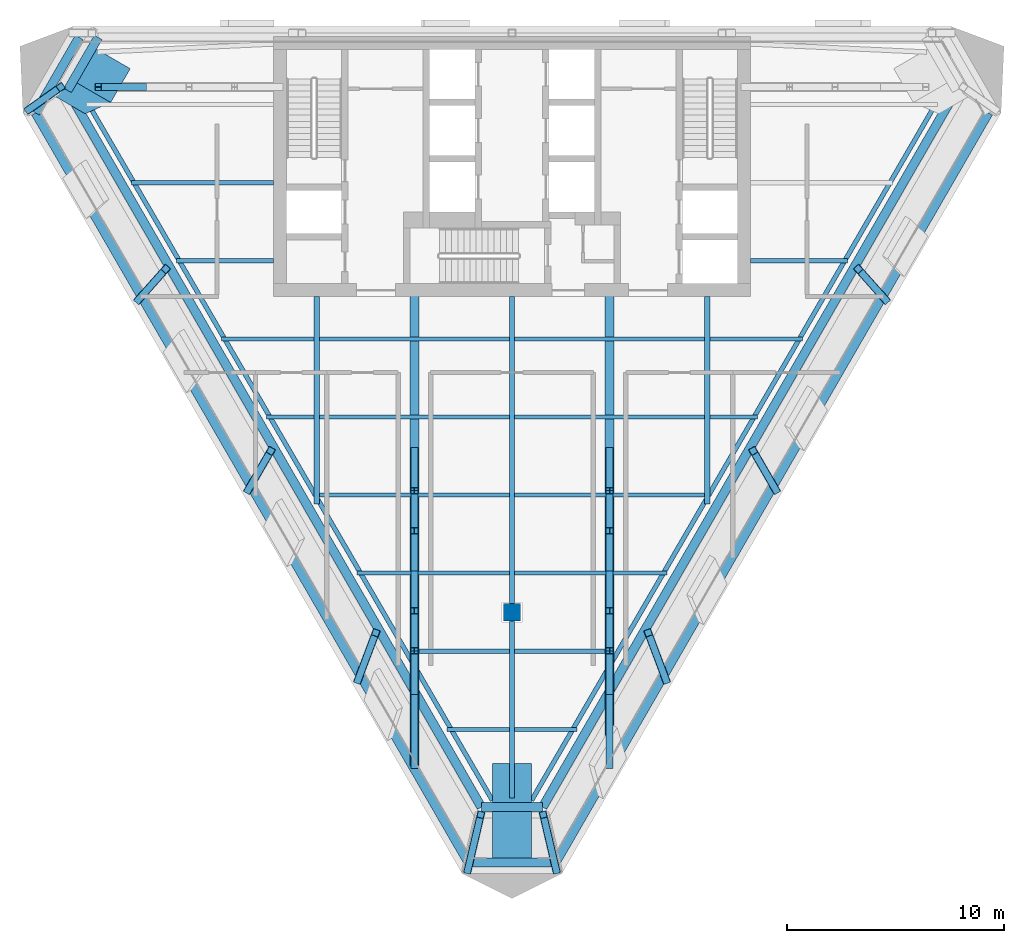
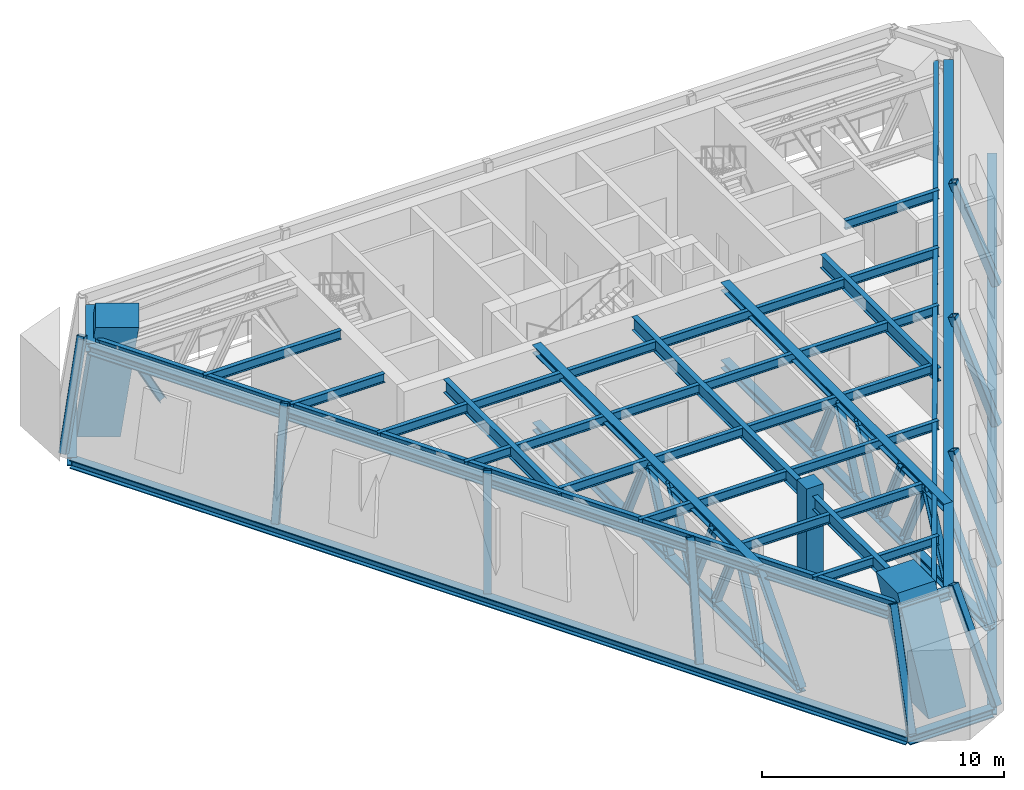
# One storey, part 1 of 11: 37 beams, 26 members, 1 column.
"""IFC4 building model written with IfcOpenShell, lengths in metres."""

from ifc_helpers import new_model, si_unit, direction, frame, origin, origin_2d, place, context, subcontext, project, spatial, rectangle, hollow_rectangle, i_section, extrude, material, material_profile, profile_set, type_object, element, save


model = new_model("IFC4")

# Units and contexts
model_context = context("Model", 3, precision=1e-05, world=origin(), true_north=direction((0.0, 1.0)))
body_context = subcontext(model_context, "Body", "Model", "MODEL_VIEW")
ifc_project = project(units=[si_unit("LENGTHUNIT", "METRE"), si_unit("AREAUNIT", "SQUARE_METRE"), si_unit("VOLUMEUNIT", "CUBIC_METRE"), si_unit("PLANEANGLEUNIT", "RADIAN"), si_unit("MASSUNIT", "GRAM", prefix="KILO")], contexts=[model_context])

# Site, building, storey
site_placement = place(None, origin())
site = spatial("IfcSite", under=ifc_project, at=site_placement, CompositionType="ELEMENT")
building_placement = place(site_placement, origin())
building = spatial("IfcBuilding", under=site, at=building_placement, Name="Aloe Facet Convention Tower", CompositionType="ELEMENT")
storey_placement = place(building_placement, frame((0.0, 0.0, 175.39990234375)))
storey = spatial("IfcBuildingStorey", under=building, at=storey_placement, Name="L44", CompositionType="ELEMENT", Elevation=175.39990234375)

# Column
ifc_material_1 = material(Name="Concrete C70/85", Category="concrete")
ifc_material_profile_1 = material_profile(ifc_material_1, rectangle(XDim=0.800048828125, YDim=0.800048828125, at=origin_2d()), Name="SF-GC-Z4")
ifc_profile_set_1 = profile_set([ifc_material_profile_1], Name="Concrete C70/85")
column_type = type_object("IfcColumnType", Name="SF-GC-Z4", PredefinedType="COLUMN", material=ifc_profile_set_1)
column_placement = place(storey_placement, frame((80.0, 108.0, 0.0), z_axis=(0.0, 0.0, 1.0), x_axis=(1.0, 0.0, 0.0)))
element("IfcColumn", 1, at=column_placement, inside=storey, type_object=column_type, Name="Gravity column GC-Z4-9D", PredefinedType="COLUMN", context=body_context, shape_type="SweptSolid", body=[
    extrude(rectangle(XDim=0.800048828125, YDim=0.800048828125, at=origin_2d()), origin(), (0.0, 0.0, 1.0), 4.800048828125),
])

# Beams
ifc_material_2 = material(Name="Steel S355", Category="steel")
ifc_material_profile_2 = material_profile(ifc_material_2, i_section(OverallWidth=0.19140625, OverallDepth=0.4599609375, WebThickness=0.010009765625, FlangeThickness=0.01611328125, FilletRadius=0.01025390625, at=origin_2d()), Name="UB 457x191x82")
ifc_profile_set_2 = profile_set([ifc_material_profile_2], Name="Steel S355")
beam_type_1 = type_object("IfcBeamType", Name="SF-B-UB457x191x82", PredefinedType="BEAM", material=ifc_profile_set_2)
beam_1_placement = place(storey_placement, frame((62.452392578125, 127.800048828125, 4.1201171875), z_axis=(1.0, 0.0, 0.0), x_axis=(0.0, 1.0, 0.0)))
element("IfcBeam", 2, at=beam_1_placement, inside=storey, type_object=beam_type_1, Name="Floor beam FB-Z4A-010", PredefinedType="BEAM", context=body_context, shape_type="SweptSolid", body=[
    extrude(i_section(OverallWidth=0.19140625, OverallDepth=0.4599609375, WebThickness=0.010009765625, FlangeThickness=0.01611328125, FilletRadius=0.01025390625, at=origin_2d()), origin(), (0.0, 0.0, 1.0), 6.547607421875),
])
beam_2_placement = place(storey_placement, frame((64.53076171875, 124.199951171875, 4.1201171875), z_axis=(1.0, 0.0, 0.0), x_axis=(0.0, 1.0, 0.0)))
element("IfcBeam", 3, at=beam_2_placement, inside=storey, type_object=beam_type_1, Name="Floor beam FB-Z4A-011", PredefinedType="BEAM", context=body_context, shape_type="SweptSolid", body=[
    extrude(i_section(OverallWidth=0.19140625, OverallDepth=0.4599609375, WebThickness=0.010009765625, FlangeThickness=0.01611328125, FilletRadius=0.01025390625, at=origin_2d()), origin(), (0.0, 0.0, 1.0), 4.46923828125),
])
beam_3_placement = place(storey_placement, frame((66.609130859375, 120.60009765625, 4.1201171875), z_axis=(1.0, 0.0, 0.0), x_axis=(0.0, 1.0, 0.0)))
element("IfcBeam", 4, at=beam_3_placement, inside=storey, type_object=beam_type_1, Name="Floor beam FB-Z4A-012", PredefinedType="BEAM", context=body_context, shape_type="SweptSolid", body=[
    extrude(i_section(OverallWidth=0.19140625, OverallDepth=0.4599609375, WebThickness=0.010009765625, FlangeThickness=0.01611328125, FilletRadius=0.01025390625, at=origin_2d()), origin(), (0.0, 0.0, 1.0), 4.264404296875),
])
beam_4_placement = place(storey_placement, frame((68.687744140625, 117.0, 4.1201171875), z_axis=(1.0, 0.0, 0.0), x_axis=(0.0, 1.0, 0.0)))
element("IfcBeam", 5, at=beam_4_placement, inside=storey, type_object=beam_type_1, Name="Floor beam FB-Z4A-013", PredefinedType="BEAM", context=body_context, shape_type="SweptSolid", body=[
    extrude(i_section(OverallWidth=0.19140625, OverallDepth=0.4599609375, WebThickness=0.010009765625, FlangeThickness=0.01611328125, FilletRadius=0.01025390625, at=origin_2d()), origin(), (0.0, 0.0, 1.0), 2.185791015625),
])
for number, where, z_axis, x_axis, name in (
    (6, (71.12646484375, 113.39990234375, 4.1201171875), (1.0, 0.0, 0.0), (0.0, 1.0, 0.0), "Floor beam FB-Z4A-014"),
    (7, (71.12646484375, 117.0, 4.1201171875), (1.0, 0.0, 0.0), (0.0, 1.0, 0.0), "Floor beam FB-Z4A-015"),
    (8, (71.12646484375, 120.60009765625, 4.1201171875), (1.0, 0.0, 0.0), (0.0, 1.0, 0.0), "Floor beam FB-Z4A-016"),
):
    element("IfcBeam", number, at=place(storey_placement, frame(where, z_axis=z_axis, x_axis=x_axis)), inside=storey, type_object=beam_type_1, Name=name, PredefinedType="BEAM", context=body_context, shape_type="SweptSolid", body=[
        extrude(i_section(OverallWidth=0.19140625, OverallDepth=0.4599609375, WebThickness=0.010009765625, FlangeThickness=0.01611328125, FilletRadius=0.01025390625, at=origin_2d()), origin(), (0.0, 0.0, 1.0), 8.7470703125),
    ])
beam_5_placement = place(storey_placement, frame((72.844482421875, 109.800048828125, 4.1201171875), z_axis=(1.0, 0.0, 0.0), x_axis=(0.0, 1.0, 0.0)))
element("IfcBeam", 9, at=beam_5_placement, inside=storey, type_object=beam_type_1, Name="Floor beam FB-Z4A-017", PredefinedType="BEAM", context=body_context, shape_type="SweptSolid", body=[
    extrude(i_section(OverallWidth=0.19140625, OverallDepth=0.4599609375, WebThickness=0.010009765625, FlangeThickness=0.01611328125, FilletRadius=0.01025390625, at=origin_2d()), origin(), (0.0, 0.0, 1.0), 7.029052734375),
])
beam_6_placement = place(storey_placement, frame((75.7099609375, 106.199951171875, 4.1201171875), z_axis=(1.0, 0.0, 0.0), x_axis=(0.0, 1.0, 0.0)))
element("IfcBeam", 10, at=beam_6_placement, inside=storey, type_object=beam_type_1, Name="Floor beam FB-Z4A-018", PredefinedType="BEAM", context=body_context, shape_type="SweptSolid", body=[
    extrude(i_section(OverallWidth=0.19140625, OverallDepth=0.4599609375, WebThickness=0.010009765625, FlangeThickness=0.01611328125, FilletRadius=0.01025390625, at=origin_2d()), origin(), (0.0, 0.0, 1.0), 4.16357421875),
])
for number, where, z_axis, x_axis, name in (
    (11, (77.00146484375, 102.60009765625, 4.1201171875), (1.0, 0.0, 0.0), (0.0, 1.0, 0.0), "Floor beam FB-Z4A-019"),
    (12, (80.12646484375, 102.60009765625, 4.1201171875), (1.0, 0.0, 0.0), (0.0, 1.0, 0.0), "Floor beam FB-Z4A-020"),
):
    element("IfcBeam", number, at=place(storey_placement, frame(where, z_axis=z_axis, x_axis=x_axis)), inside=storey, type_object=beam_type_1, Name=name, PredefinedType="BEAM", context=body_context, shape_type="SweptSolid", body=[
        extrude(i_section(OverallWidth=0.19140625, OverallDepth=0.4599609375, WebThickness=0.010009765625, FlangeThickness=0.01611328125, FilletRadius=0.01025390625, at=origin_2d()), origin(), (0.0, 0.0, 1.0), 2.8720703125),
    ])
beam_7_placement = place(storey_placement, frame((80.12646484375, 106.199951171875, 4.1201171875), z_axis=(1.0, 0.0, 0.0), x_axis=(0.0, 1.0, 0.0)))
element("IfcBeam", 13, at=beam_7_placement, inside=storey, type_object=beam_type_1, Name="Floor beam FB-Z4A-021", PredefinedType="BEAM", context=body_context, shape_type="SweptSolid", body=[
    extrude(i_section(OverallWidth=0.19140625, OverallDepth=0.4599609375, WebThickness=0.010009765625, FlangeThickness=0.01611328125, FilletRadius=0.01025390625, at=origin_2d()), origin(), (0.0, 0.0, 1.0), 4.16357421875),
])
beam_8_placement = place(storey_placement, frame((80.12646484375, 109.800048828125, 4.1201171875), z_axis=(1.0, 0.0, 0.0), x_axis=(0.0, 1.0, 0.0)))
element("IfcBeam", 14, at=beam_8_placement, inside=storey, type_object=beam_type_1, Name="Floor beam FB-Z4A-022", PredefinedType="BEAM", context=body_context, shape_type="SweptSolid", body=[
    extrude(i_section(OverallWidth=0.19140625, OverallDepth=0.4599609375, WebThickness=0.010009765625, FlangeThickness=0.01611328125, FilletRadius=0.01025390625, at=origin_2d()), origin(), (0.0, 0.0, 1.0), 7.029052734375),
])
for number, where, z_axis, x_axis, name in (
    (15, (80.12646484375, 113.39990234375, 4.1201171875), (1.0, 0.0, 0.0), (0.0, 1.0, 0.0), "Floor beam FB-Z4A-023"),
    (16, (80.12646484375, 117.0, 4.1201171875), (1.0, 0.0, 0.0), (0.0, 1.0, 0.0), "Floor beam FB-Z4A-024"),
    (17, (80.12646484375, 120.60009765625, 4.1201171875), (1.0, 0.0, 0.0), (0.0, 1.0, 0.0), "Floor beam FB-Z4A-025"),
):
    element("IfcBeam", number, at=place(storey_placement, frame(where, z_axis=z_axis, x_axis=x_axis)), inside=storey, type_object=beam_type_1, Name=name, PredefinedType="BEAM", context=body_context, shape_type="SweptSolid", body=[
        extrude(i_section(OverallWidth=0.19140625, OverallDepth=0.4599609375, WebThickness=0.010009765625, FlangeThickness=0.01611328125, FilletRadius=0.01025390625, at=origin_2d()), origin(), (0.0, 0.0, 1.0), 8.7470703125),
    ])
beam_9_placement = place(storey_placement, frame((89.12646484375, 117.0, 4.1201171875), z_axis=(1.0, 0.0, 0.0), x_axis=(0.0, 1.0, 0.0)))
element("IfcBeam", 18, at=beam_9_placement, inside=storey, type_object=beam_type_1, Name="Floor beam FB-Z4A-026", PredefinedType="BEAM", context=body_context, shape_type="SweptSolid", body=[
    extrude(i_section(OverallWidth=0.19140625, OverallDepth=0.4599609375, WebThickness=0.010009765625, FlangeThickness=0.01611328125, FilletRadius=0.01025390625, at=origin_2d()), origin(), (0.0, 0.0, 1.0), 2.185791015625),
])
beam_10_placement = place(storey_placement, frame((89.12646484375, 120.60009765625, 4.1201171875), z_axis=(1.0, 0.0, 0.0), x_axis=(0.0, 1.0, 0.0)))
element("IfcBeam", 19, at=beam_10_placement, inside=storey, type_object=beam_type_1, Name="Floor beam FB-Z4A-027", PredefinedType="BEAM", context=body_context, shape_type="SweptSolid", body=[
    extrude(i_section(OverallWidth=0.19140625, OverallDepth=0.4599609375, WebThickness=0.010009765625, FlangeThickness=0.01611328125, FilletRadius=0.01025390625, at=origin_2d()), origin(), (0.0, 0.0, 1.0), 4.264404296875),
])
beam_11_placement = place(storey_placement, frame((91.0, 124.199951171875, 4.1201171875), z_axis=(1.0, 0.0, 0.0), x_axis=(0.0, 1.0, 0.0)))
element("IfcBeam", 20, at=beam_11_placement, inside=storey, type_object=beam_type_1, Name="Floor beam FB-Z4A-028", PredefinedType="BEAM", context=body_context, shape_type="SweptSolid", body=[
    extrude(i_section(OverallWidth=0.19140625, OverallDepth=0.4599609375, WebThickness=0.010009765625, FlangeThickness=0.01611328125, FilletRadius=0.01025390625, at=origin_2d()), origin(), (0.0, 0.0, 1.0), 4.46923828125),
])
ifc_material_3 = material(Name="Steel S355", Category="steel")
ifc_material_profile_3 = material_profile(ifc_material_3, i_section(OverallWidth=0.209228515625, OverallDepth=0.533203125, WebThickness=0.010009765625, FlangeThickness=0.015625, FilletRadius=0.0126953125, at=origin_2d()), Name="UB 533x210x92")
ifc_profile_set_3 = profile_set([ifc_material_profile_3], Name="Steel S355")
beam_type_2 = type_object("IfcBeamType", Name="SF-B-UB533x210x92", PredefinedType="BEAM", material=ifc_profile_set_3)
for number, where, z_axis, x_axis, name in (
    (21, (79.10009765625, 99.319580078125, 4.08349609375), (-0.501919625272, 0.864914267293, 0.0), (-0.864914267293, -0.501919625272, 0.0), "Floor beam FB-Z4A-002"),
    (22, (100.0166015625, 132.26171875, 4.08349609375), (-0.501919625272, -0.864914267293, 0.0), (0.864914267293, -0.501919625272, 0.0), "Floor beam FB-Z4A-004"),
):
    element("IfcBeam", number, at=place(storey_placement, frame(where, z_axis=z_axis, x_axis=x_axis)), inside=storey, type_object=beam_type_2, Name=name, PredefinedType="BEAM", context=body_context, shape_type="SweptSolid", body=[
        extrude(i_section(OverallWidth=0.209228515625, OverallDepth=0.533203125, WebThickness=0.010009765625, FlangeThickness=0.015625, FilletRadius=0.0126953125, at=origin_2d()), origin(), (0.0, 0.0, 1.0), 38.087158203125),
    ])
ifc_material_4 = material(Name="Steel S355", Category="steel")
ifc_material_profile_4 = material_profile(ifc_material_4, i_section(OverallWidth=0.2529296875, OverallDepth=0.677978515625, WebThickness=0.01171875, FlangeThickness=0.01611328125, FilletRadius=0.01513671875, at=origin_2d()), Name="UB 686x254x125")
ifc_profile_set_4 = profile_set([ifc_material_profile_4], Name="Steel S355")
beam_type_3 = type_object("IfcBeamType", Name="SF-B-UB686x254x125", PredefinedType="BEAM", material=ifc_profile_set_4)
beam_12_placement = place(storey_placement, frame((71.0, 122.550048828125, 4.010986328125), z_axis=(0.0, -1.0, 0.0), x_axis=(1.0, 0.0, 0.0)))
element("IfcBeam", 23, at=beam_12_placement, inside=storey, type_object=beam_type_3, Name="Floor beam FB-Z4A-005", PredefinedType="BEAM", context=body_context, shape_type="SweptSolid", body=[
    extrude(i_section(OverallWidth=0.2529296875, OverallDepth=0.677978515625, WebThickness=0.01171875, FlangeThickness=0.01611328125, FilletRadius=0.01513671875, at=origin_2d()), origin(), (0.0, 0.0, 1.0), 9.5625),
])
beam_13_placement = place(storey_placement, frame((80.0, 107.60009765625, 4.010986328125), z_axis=(0.0, -1.0, 0.0), x_axis=(1.0, 0.0, 0.0)))
element("IfcBeam", 24, at=beam_13_placement, inside=storey, type_object=beam_type_3, Name="Floor beam FB-Z4A-006", PredefinedType="BEAM", context=body_context, shape_type="SweptSolid", body=[
    extrude(i_section(OverallWidth=0.2529296875, OverallDepth=0.677978515625, WebThickness=0.01171875, FlangeThickness=0.01611328125, FilletRadius=0.01513671875, at=origin_2d()), origin(), (0.0, 0.0, 1.0), 8.165771484375),
])
beam_14_placement = place(storey_placement, frame((80.0, 122.550048828125, 4.010986328125), z_axis=(0.0, -1.0, 0.0), x_axis=(1.0, 0.0, 0.0)))
element("IfcBeam", 25, at=beam_14_placement, inside=storey, type_object=beam_type_3, Name="Floor beam FB-Z4A-007", PredefinedType="BEAM", context=body_context, shape_type="SweptSolid", body=[
    extrude(i_section(OverallWidth=0.2529296875, OverallDepth=0.677978515625, WebThickness=0.01171875, FlangeThickness=0.01611328125, FilletRadius=0.01513671875, at=origin_2d()), origin(), (0.0, 0.0, 1.0), 14.150146484375),
])
beam_15_placement = place(storey_placement, frame((89.0, 122.550048828125, 4.010986328125), z_axis=(0.0, -1.0, 0.0), x_axis=(1.0, 0.0, 0.0)))
element("IfcBeam", 26, at=beam_15_placement, inside=storey, type_object=beam_type_3, Name="Floor beam FB-Z4A-008", PredefinedType="BEAM", context=body_context, shape_type="SweptSolid", body=[
    extrude(i_section(OverallWidth=0.2529296875, OverallDepth=0.677978515625, WebThickness=0.01171875, FlangeThickness=0.01611328125, FilletRadius=0.01513671875, at=origin_2d()), origin(), (0.0, 0.0, 1.0), 9.5625),
])
ifc_material_5 = material(Name="Steel S355", Category="steel")
ifc_material_profile_5 = material_profile(ifc_material_5, i_section(OverallWidth=0.412109375, OverallDepth=0.4365234375, WebThickness=0.035888671875, FlangeThickness=0.048095703125, FilletRadius=0.01513671875, at=origin_2d()), Name="UC 356x406x467")
ifc_profile_set_5 = profile_set([ifc_material_profile_5], Name="Steel S355")
beam_type_4 = type_object("IfcBeamType", Name="STW-BC-L44", PredefinedType="BEAM", material=ifc_profile_set_5)
beam_16_placement = place(storey_placement, frame((101.9658203125, 131.016357421875, -0.46826171875), z_axis=(-0.50000381633, -0.866023200414, 0.0), x_axis=(0.866023200414, -0.50000381633, 0.0)))
element("IfcBeam", 27, at=beam_16_placement, inside=storey, type_object=beam_type_4, Name="Belt chord BC-L44-L-02", PredefinedType="BEAM", context=body_context, shape_type="SweptSolid", body=[
    extrude(i_section(OverallWidth=0.412109375, OverallDepth=0.4365234375, WebThickness=0.035888671875, FlangeThickness=0.048095703125, FilletRadius=0.01513671875, at=origin_2d()), origin(), (0.0, 0.0, 1.0), 39.908935546875),
])
beam_17_placement = place(storey_placement, frame((82.01123046875, 96.454345703125, -0.46826171875), z_axis=(-1.0, 0.0, 0.0), x_axis=(0.0, -1.0, 0.0)))
element("IfcBeam", 28, at=beam_17_placement, inside=storey, type_object=beam_type_4, Name="Belt chord BC-L44-L-03", PredefinedType="BEAM", context=body_context, shape_type="SweptSolid", body=[
    extrude(i_section(OverallWidth=0.412109375, OverallDepth=0.4365234375, WebThickness=0.035888671875, FlangeThickness=0.048095703125, FilletRadius=0.01513671875, at=origin_2d()), origin(), (0.0, 0.0, 1.0), 4.0224609375),
])
beam_18_placement = place(storey_placement, frame((77.98876953125, 96.454345703125, -0.46826171875), z_axis=(-0.50000381633, 0.866023200414, 0.0), x_axis=(-0.866023200414, -0.50000381633, 0.0)))
element("IfcBeam", 29, at=beam_18_placement, inside=storey, type_object=beam_type_4, Name="Belt chord BC-L44-L-04", PredefinedType="BEAM", context=body_context, shape_type="SweptSolid", body=[
    extrude(i_section(OverallWidth=0.412109375, OverallDepth=0.4365234375, WebThickness=0.035888671875, FlangeThickness=0.048095703125, FilletRadius=0.01513671875, at=origin_2d()), origin(), (0.0, 0.0, 1.0), 39.908935546875),
])
beam_19_placement = place(storey_placement, frame((58.0341796875, 131.016357421875, -0.46826171875), z_axis=(0.500035914075, 0.866004667791, 0.0), x_axis=(-0.866004667791, 0.500035914075, 0.0)))
element("IfcBeam", 30, at=beam_19_placement, inside=storey, type_object=beam_type_4, Name="Belt chord BC-L44-L-05", PredefinedType="BEAM", context=body_context, shape_type="SweptSolid", body=[
    extrude(i_section(OverallWidth=0.412109375, OverallDepth=0.4365234375, WebThickness=0.035888671875, FlangeThickness=0.048095703125, FilletRadius=0.01513671875, at=origin_2d()), origin(), (0.0, 0.0, 1.0), 4.022705078125),
])
beam_20_placement = place(storey_placement, frame((100.4873046875, 132.055419921875, 4.1318359375), z_axis=(-0.499999417689, -0.866025739982, 0.0), x_axis=(0.866025739982, -0.499999417689, 0.0)))
element("IfcBeam", 31, at=beam_20_placement, inside=storey, type_object=beam_type_4, Name="Belt chord BC-L44-U-02", PredefinedType="BEAM", context=body_context, shape_type="SweptSolid", body=[
    extrude(i_section(OverallWidth=0.412109375, OverallDepth=0.4365234375, WebThickness=0.035888671875, FlangeThickness=0.048095703125, FilletRadius=0.01513671875, at=origin_2d()), origin(), (0.0, 0.0, 1.0), 38.15185546875),
])
beam_21_placement = place(storey_placement, frame((81.411376953125, 99.014892578125, 4.1318359375), z_axis=(-1.0, 0.0, 0.0), x_axis=(0.0, -1.0, 0.0)))
element("IfcBeam", 32, at=beam_21_placement, inside=storey, type_object=beam_type_4, Name="Belt chord BC-L44-U-03", PredefinedType="BEAM", context=body_context, shape_type="SweptSolid", body=[
    extrude(i_section(OverallWidth=0.412109375, OverallDepth=0.4365234375, WebThickness=0.035888671875, FlangeThickness=0.048095703125, FilletRadius=0.01513671875, at=origin_2d()), origin(), (0.0, 0.0, 1.0), 2.82275390625),
])
beam_22_placement = place(storey_placement, frame((78.588623046875, 99.014892578125, 4.1318359375), z_axis=(-0.499999417689, 0.866025739982, 0.0), x_axis=(-0.866025739982, -0.499999417689, 0.0)))
element("IfcBeam", 33, at=beam_22_placement, inside=storey, type_object=beam_type_4, Name="Belt chord BC-L44-U-04", PredefinedType="BEAM", context=body_context, shape_type="SweptSolid", body=[
    extrude(i_section(OverallWidth=0.412109375, OverallDepth=0.4365234375, WebThickness=0.035888671875, FlangeThickness=0.048095703125, FilletRadius=0.01513671875, at=origin_2d()), origin(), (0.0, 0.0, 1.0), 38.15185546875),
])
beam_23_placement = place(storey_placement, frame((59.5126953125, 132.055419921875, 4.1318359375), z_axis=(0.499999465141, 0.866025712585, 0.0), x_axis=(-0.866025712585, 0.499999465141, 0.0)))
element("IfcBeam", 34, at=beam_23_placement, inside=storey, type_object=beam_type_4, Name="Belt chord BC-L44-U-05", PredefinedType="BEAM", context=body_context, shape_type="SweptSolid", body=[
    extrude(i_section(OverallWidth=0.412109375, OverallDepth=0.4365234375, WebThickness=0.035888671875, FlangeThickness=0.048095703125, FilletRadius=0.01513671875, at=origin_2d()), origin(), (0.0, 0.0, 1.0), 2.82275390625),
])

# Members
ifc_material_6 = material(Name="Steel S355", Category="steel")
ifc_material_profile_6 = material_profile(ifc_material_6, hollow_rectangle(XDim=0.35009765625, YDim=0.35009765625, WallThickness=0.01611328125, InnerFilletRadius=0.01611328125, OuterFilletRadius=0.031982421875, at=origin_2d()), Name="SHS 350x350x16")
ifc_profile_set_6 = profile_set([ifc_material_profile_6], Name="Steel S355")
member_type_1 = type_object("IfcMemberType", Name="STW-BW-L44", PredefinedType="BRACE", material=ifc_profile_set_6)
member_1_placement = place(storey_placement, frame((57.716796875, 131.166259765625, 0.0), z_axis=(0.288265895806, 0.202633407933, 0.935864560342), x_axis=(-0.575075049884, 0.818100658233, 0.0)))
element("IfcMember", 35, at=member_1_placement, inside=storey, type_object=member_type_1, Name="Belt web BW-L44-F2-01", PredefinedType="BRACE", context=body_context, shape_type="SweptSolid", body=[
    extrude(hollow_rectangle(XDim=0.35009765625, YDim=0.35009765625, WallThickness=0.01611328125, InnerFilletRadius=0.01611328125, OuterFilletRadius=0.031982421875, at=origin_2d()), origin(), (0.0, 0.0, 1.0), 5.12890625),
])
member_2_placement = place(storey_placement, frame((62.777587890625, 122.40087890625, 0.0), z_axis=(0.243886294949, 0.275010651441, 0.929993879942), x_axis=(-0.748175607018, 0.663500761917, 0.0)))
element("IfcMember", 36, at=member_2_placement, inside=storey, type_object=member_type_1, Name="Belt web BW-L44-F2-02", PredefinedType="BRACE", context=body_context, shape_type="SweptSolid", body=[
    extrude(hollow_rectangle(XDim=0.35009765625, YDim=0.35009765625, WallThickness=0.01611328125, InnerFilletRadius=0.01611328125, OuterFilletRadius=0.031982421875, at=origin_2d()), origin(), (0.0, 0.0, 1.0), 5.161376953125),
])
member_3_placement = place(storey_placement, frame((67.83837890625, 113.63525390625, 0.0), z_axis=(0.198646665889, 0.344131077913, 0.917667316268), x_axis=(-0.866066271601, 0.499929208183, 0.0)))
element("IfcMember", 37, at=member_3_placement, inside=storey, type_object=member_type_1, Name="Belt web BW-L44-F2-03", PredefinedType="BRACE", context=body_context, shape_type="SweptSolid", body=[
    extrude(hollow_rectangle(XDim=0.35009765625, YDim=0.35009765625, WallThickness=0.01611328125, InnerFilletRadius=0.01611328125, OuterFilletRadius=0.031982421875, at=origin_2d()), origin(), (0.0, 0.0, 1.0), 5.230712890625),
])
member_4_placement = place(storey_placement, frame((72.89892578125, 104.869873046875, 0.0), z_axis=(0.153659512764, 0.408629972895, 0.899672328901), x_axis=(-0.936010035157, 0.351973314452, 0.0)))
element("IfcMember", 38, at=member_4_placement, inside=storey, type_object=member_type_1, Name="Belt web BW-L44-F2-04", PredefinedType="BRACE", context=body_context, shape_type="SweptSolid", body=[
    extrude(hollow_rectangle(XDim=0.35009765625, YDim=0.35009765625, WallThickness=0.01611328125, InnerFilletRadius=0.01611328125, OuterFilletRadius=0.031982421875, at=origin_2d()), origin(), (0.0, 0.0, 1.0), 5.33544921875),
])
for number, where, z_axis, x_axis, name in (
    (39, (77.959716796875, 96.104248046875, 0.0), (0.109638682371, 0.467860105528, 0.876975644464), (-0.973623721312, 0.228159701305, 0.0), "Belt web BW-L44-F2-05"),
    (40, (82.040283203125, 96.104248046875, 0.0), (-0.109638682371, 0.467860105528, 0.876975644464), (-0.973623721312, -0.228159701305, 0.0), "Belt web BW-L44-F3-01"),
):
    element("IfcMember", number, at=place(storey_placement, frame(where, z_axis=z_axis, x_axis=x_axis)), inside=storey, type_object=member_type_1, Name=name, PredefinedType="BRACE", context=body_context, shape_type="SweptSolid", body=[
        extrude(hollow_rectangle(XDim=0.35009765625, YDim=0.35009765625, WallThickness=0.01611328125, InnerFilletRadius=0.01611328125, OuterFilletRadius=0.031982421875, at=origin_2d()), origin(), (0.0, 0.0, 1.0), 5.473388671875),
    ])
member_5_placement = place(storey_placement, frame((87.10107421875, 104.869873046875, 0.0), z_axis=(-0.153659512764, 0.408629972895, 0.899672328901), x_axis=(-0.936010035157, -0.351973314452, 0.0)))
element("IfcMember", 41, at=member_5_placement, inside=storey, type_object=member_type_1, Name="Belt web BW-L44-F3-02", PredefinedType="BRACE", context=body_context, shape_type="SweptSolid", body=[
    extrude(hollow_rectangle(XDim=0.35009765625, YDim=0.35009765625, WallThickness=0.01611328125, InnerFilletRadius=0.01611328125, OuterFilletRadius=0.031982421875, at=origin_2d()), origin(), (0.0, 0.0, 1.0), 5.33544921875),
])
member_6_placement = place(storey_placement, frame((92.16162109375, 113.63525390625, 0.0), z_axis=(-0.198646665889, 0.344131077913, 0.917667316268), x_axis=(-0.866066271601, -0.499929208183, 0.0)))
element("IfcMember", 42, at=member_6_placement, inside=storey, type_object=member_type_1, Name="Belt web BW-L44-F3-03", PredefinedType="BRACE", context=body_context, shape_type="SweptSolid", body=[
    extrude(hollow_rectangle(XDim=0.35009765625, YDim=0.35009765625, WallThickness=0.01611328125, InnerFilletRadius=0.01611328125, OuterFilletRadius=0.031982421875, at=origin_2d()), origin(), (0.0, 0.0, 1.0), 5.230712890625),
])
member_7_placement = place(storey_placement, frame((97.222412109375, 122.40087890625, 0.0), z_axis=(-0.243886294949, 0.275010651441, 0.929993879942), x_axis=(-0.748175607018, -0.663500761917, 0.0)))
element("IfcMember", 43, at=member_7_placement, inside=storey, type_object=member_type_1, Name="Belt web BW-L44-F3-04", PredefinedType="BRACE", context=body_context, shape_type="SweptSolid", body=[
    extrude(hollow_rectangle(XDim=0.35009765625, YDim=0.35009765625, WallThickness=0.01611328125, InnerFilletRadius=0.01611328125, OuterFilletRadius=0.031982421875, at=origin_2d()), origin(), (0.0, 0.0, 1.0), 5.161376953125),
])
ifc_material_7 = material(Name="Concrete C80/95", Category="concrete")
ifc_material_profile_7 = material_profile(ifc_material_7, rectangle(XDim=1.800048828125, YDim=1.800048828125, at=origin_2d()), Name="STW-MJ-Z3")
ifc_profile_set_7 = profile_set([ifc_material_profile_7], Name="Concrete C80/95")
member_type_2 = type_object("IfcMemberType", Name="STW-MJ-Z3", PredefinedType="STRUT", material=ifc_profile_set_7)
member_8_placement = place(storey_placement, frame((59.99267578125, 132.208251953125, 0.0), z_axis=(0.0, 0.0, 1.0), x_axis=(-0.5, -0.866025403784, 0.0)))
element("IfcMember", 44, at=member_8_placement, inside=storey, type_object=member_type_2, Name="Transfer jog MC-NW-L44", PredefinedType="STRUT", context=body_context, shape_type="SweptSolid", body=[
    extrude(rectangle(XDim=1.800048828125, YDim=1.800048828125, at=origin_2d()), origin(), (-0.209093993295, 0.153087177644, 0.965838505139), 4.9697265625),
])
member_9_placement = place(storey_placement, frame((80.0, 97.55419921875, 0.0), z_axis=(0.0, 0.0, 1.0), x_axis=(1.0, 0.0, 0.0)))
element("IfcMember", 45, at=member_9_placement, inside=storey, type_object=member_type_2, Name="Transfer jog MC-S-L44", PredefinedType="STRUT", context=body_context, shape_type="SweptSolid", body=[
    extrude(rectangle(XDim=1.800048828125, YDim=1.800048828125, at=origin_2d()), origin(), (0.0, 0.470697702718, 0.882294549828), 5.4404296875),
])

# Beams
ifc_material_8 = material(Name="Steel S355", Category="steel")
ifc_material_profile_8 = material_profile(ifc_material_8, i_section(OverallWidth=0.403076171875, OverallDepth=0.406494140625, WebThickness=0.0205078125, FlangeThickness=0.032958984375, FilletRadius=0.01513671875, at=origin_2d()), Name="UC 356x406x340")
ifc_profile_set_8 = profile_set([ifc_material_profile_8], Name="Steel S355")
beam_type_5 = type_object("IfcBeamType", Name="STW-OC-L44", PredefinedType="BEAM", material=ifc_profile_set_8)
beam_24_placement = place(storey_placement, frame((75.5, 122.85009765625, 0.2333984375), z_axis=(0.0, -1.0, 0.0), x_axis=(1.0, 0.0, 0.0)))
element("IfcBeam", 46, at=beam_24_placement, inside=storey, type_object=beam_type_5, Name="Outrigger chord OR-L44-S1-B", PredefinedType="BEAM", context=body_context, shape_type="SweptSolid", body=[
    extrude(i_section(OverallWidth=0.403076171875, OverallDepth=0.406494140625, WebThickness=0.0205078125, FlangeThickness=0.032958984375, FilletRadius=0.01513671875, at=origin_2d()), origin(), (0.0, 0.0, 1.0), 21.935302734375),
])
beam_25_placement = place(storey_placement, frame((75.5, 122.85009765625, 4.14697265625), z_axis=(0.0, -1.0, 0.0), x_axis=(1.0, 0.0, 0.0)))
element("IfcBeam", 47, at=beam_25_placement, inside=storey, type_object=beam_type_5, Name="Outrigger chord OR-L44-S1-T", PredefinedType="BEAM", context=body_context, shape_type="SweptSolid", body=[
    extrude(i_section(OverallWidth=0.403076171875, OverallDepth=0.406494140625, WebThickness=0.0205078125, FlangeThickness=0.032958984375, FilletRadius=0.01513671875, at=origin_2d()), origin(), (0.0, 0.0, 1.0), 18.4853515625),
])
beam_26_placement = place(storey_placement, frame((84.5, 122.85009765625, 0.2333984375), z_axis=(0.0, -1.0, 0.0), x_axis=(1.0, 0.0, 0.0)))
element("IfcBeam", 48, at=beam_26_placement, inside=storey, type_object=beam_type_5, Name="Outrigger chord OR-L44-S2-B", PredefinedType="BEAM", context=body_context, shape_type="SweptSolid", body=[
    extrude(i_section(OverallWidth=0.403076171875, OverallDepth=0.406494140625, WebThickness=0.0205078125, FlangeThickness=0.032958984375, FilletRadius=0.01513671875, at=origin_2d()), origin(), (0.0, 0.0, 1.0), 21.935302734375),
])
beam_27_placement = place(storey_placement, frame((84.5, 122.85009765625, 4.14697265625), z_axis=(0.0, -1.0, 0.0), x_axis=(1.0, 0.0, 0.0)))
element("IfcBeam", 49, at=beam_27_placement, inside=storey, type_object=beam_type_5, Name="Outrigger chord OR-L44-S2-T", PredefinedType="BEAM", context=body_context, shape_type="SweptSolid", body=[
    extrude(i_section(OverallWidth=0.403076171875, OverallDepth=0.406494140625, WebThickness=0.0205078125, FlangeThickness=0.032958984375, FilletRadius=0.01513671875, at=origin_2d()), origin(), (0.0, 0.0, 1.0), 18.4853515625),
])

# Members
ifc_material_9 = material(Name="Steel S355", Category="steel")
ifc_material_profile_9 = material_profile(ifc_material_9, i_section(OverallWidth=0.311279296875, OverallDepth=0.3271484375, WebThickness=0.015869140625, FlangeThickness=0.02490234375, FilletRadius=0.01513671875, at=origin_2d()), Name="UC 305x305x158")
ifc_profile_set_9 = profile_set([ifc_material_profile_9], Name="Steel S355")
member_type_3 = type_object("IfcMemberType", Name="STW-OD-L44", PredefinedType="BRACE", material=ifc_profile_set_9)
member_10_placement = place(storey_placement, frame((63.0166015625, 132.208251953125, 0.2333984375), z_axis=(-0.471900865349, 0.0, 0.88165161673), x_axis=(0.0, -1.0, 0.0)))
element("IfcMember", 50, at=member_10_placement, inside=storey, type_object=member_type_3, Name="Outrigger diagonal OR-L44-NW-D04", PredefinedType="BRACE", context=body_context, shape_type="SweptSolid", body=[
    extrude(i_section(OverallWidth=0.311279296875, OverallDepth=0.3271484375, WebThickness=0.015869140625, FlangeThickness=0.02490234375, FilletRadius=0.01513671875, at=origin_2d()), origin(), (0.0, 0.0, 1.0), 4.43896484375),
])
for number, where, z_axis, x_axis, name in (
    (51, (75.5, 115.455810546875, 0.2333984375), (0.0, -0.427065239332, 0.904220814489), (1.0, 0.0, 0.0), "Outrigger diagonal OR-L44-S1-D01"),
    (52, (75.5, 113.607421875, 4.14697265625), (0.0, -0.427111357738, -0.904199031238), (1.0, 0.0, 0.0), "Outrigger diagonal OR-L44-S1-D02"),
    (53, (75.5, 111.7587890625, 4.14697265625), (0.0, -0.427065239332, -0.904220814489), (1.0, 0.0, 0.0), "Outrigger diagonal OR-L44-S1-D03"),
    (54, (75.5, 109.910400390625, 0.2333984375), (0.0, -0.427111357738, 0.904199031238), (1.0, 0.0, 0.0), "Outrigger diagonal OR-L44-S1-D04"),
    (55, (75.5, 108.061767578125, 0.2333984375), (0.0, -0.427065239332, 0.904220814489), (1.0, 0.0, 0.0), "Outrigger diagonal OR-L44-S1-D05"),
    (56, (75.5, 106.21337890625, 4.14697265625), (0.0, -0.427111357738, -0.904199031238), (1.0, 0.0, 0.0), "Outrigger diagonal OR-L44-S1-D06"),
):
    element("IfcMember", number, at=place(storey_placement, frame(where, z_axis=z_axis, x_axis=x_axis)), inside=storey, type_object=member_type_3, Name=name, PredefinedType="BRACE", context=body_context, shape_type="SweptSolid", body=[
        extrude(i_section(OverallWidth=0.311279296875, OverallDepth=0.3271484375, WebThickness=0.015869140625, FlangeThickness=0.02490234375, FilletRadius=0.01513671875, at=origin_2d()), origin(), (0.0, 0.0, 1.0), 4.328125),
    ])
member_11_placement = place(storey_placement, frame((75.5, 104.36474609375, 4.14697265625), z_axis=(0.0, -0.661276422617, -0.750142315091), x_axis=(1.0, 0.0, 0.0)))
element("IfcMember", 57, at=member_11_placement, inside=storey, type_object=member_type_3, Name="Outrigger diagonal OR-L44-S1-D07", PredefinedType="BRACE", context=body_context, shape_type="SweptSolid", body=[
    extrude(i_section(OverallWidth=0.311279296875, OverallDepth=0.3271484375, WebThickness=0.015869140625, FlangeThickness=0.02490234375, FilletRadius=0.01513671875, at=origin_2d()), origin(), (0.0, 0.0, 1.0), 5.217041015625),
])
for number, where, z_axis, x_axis, name in (
    (58, (84.5, 115.455810546875, 0.2333984375), (0.0, -0.427065239332, 0.904220814489), (1.0, 0.0, 0.0), "Outrigger diagonal OR-L44-S2-D01"),
    (59, (84.5, 113.607421875, 4.14697265625), (0.0, -0.427111357738, -0.904199031238), (1.0, 0.0, 0.0), "Outrigger diagonal OR-L44-S2-D02"),
    (60, (84.5, 111.7587890625, 4.14697265625), (0.0, -0.427065239332, -0.904220814489), (1.0, 0.0, 0.0), "Outrigger diagonal OR-L44-S2-D03"),
    (61, (84.5, 109.910400390625, 0.2333984375), (0.0, -0.427111357738, 0.904199031238), (1.0, 0.0, 0.0), "Outrigger diagonal OR-L44-S2-D04"),
    (62, (84.5, 108.061767578125, 0.2333984375), (0.0, -0.427065239332, 0.904220814489), (1.0, 0.0, 0.0), "Outrigger diagonal OR-L44-S2-D05"),
    (63, (84.5, 106.21337890625, 4.14697265625), (0.0, -0.427111357738, -0.904199031238), (1.0, 0.0, 0.0), "Outrigger diagonal OR-L44-S2-D06"),
):
    element("IfcMember", number, at=place(storey_placement, frame(where, z_axis=z_axis, x_axis=x_axis)), inside=storey, type_object=member_type_3, Name=name, PredefinedType="BRACE", context=body_context, shape_type="SweptSolid", body=[
        extrude(i_section(OverallWidth=0.311279296875, OverallDepth=0.3271484375, WebThickness=0.015869140625, FlangeThickness=0.02490234375, FilletRadius=0.01513671875, at=origin_2d()), origin(), (0.0, 0.0, 1.0), 4.328125),
    ])
member_12_placement = place(storey_placement, frame((84.5, 104.36474609375, 4.14697265625), z_axis=(0.0, -0.661276422617, -0.750142315091), x_axis=(1.0, 0.0, 0.0)))
element("IfcMember", 64, at=member_12_placement, inside=storey, type_object=member_type_3, Name="Outrigger diagonal OR-L44-S2-D07", PredefinedType="BRACE", context=body_context, shape_type="SweptSolid", body=[
    extrude(i_section(OverallWidth=0.311279296875, OverallDepth=0.3271484375, WebThickness=0.015869140625, FlangeThickness=0.02490234375, FilletRadius=0.01513671875, at=origin_2d()), origin(), (0.0, 0.0, 1.0), 5.217041015625),
])

save(model, "model.ifc")
